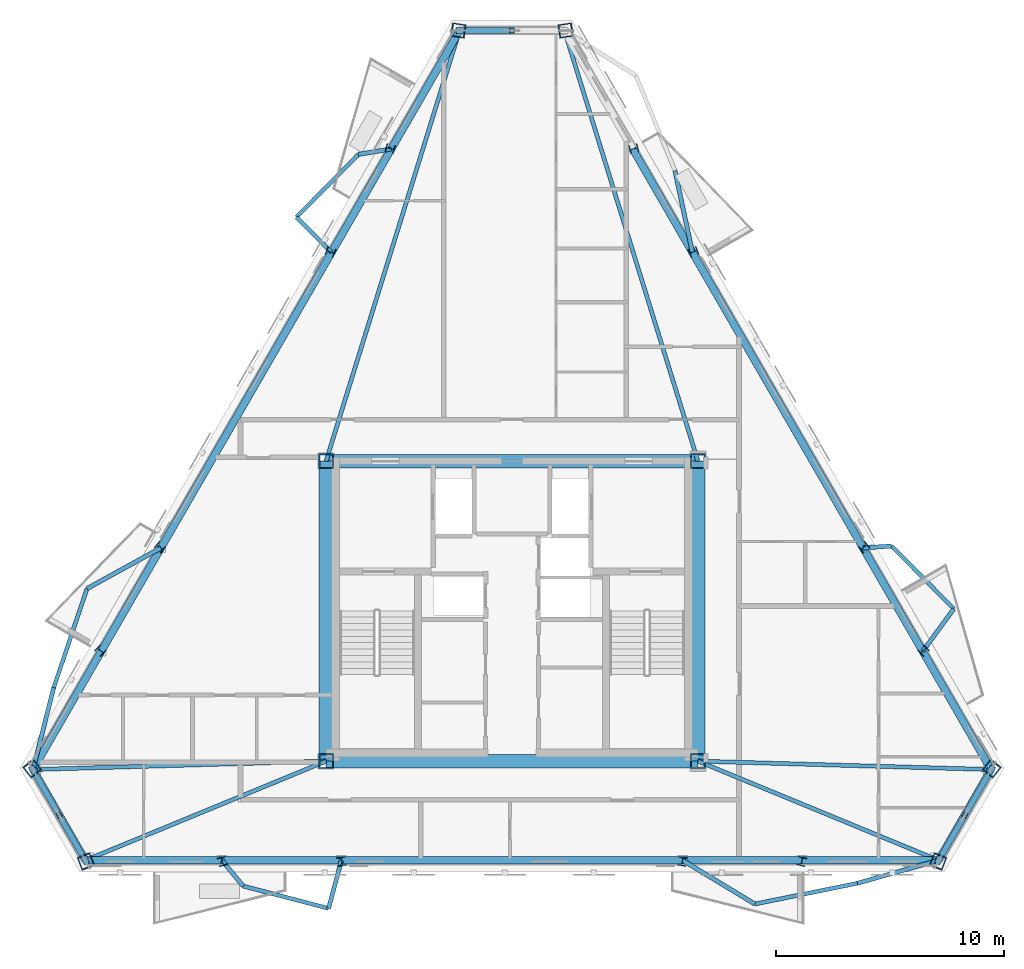
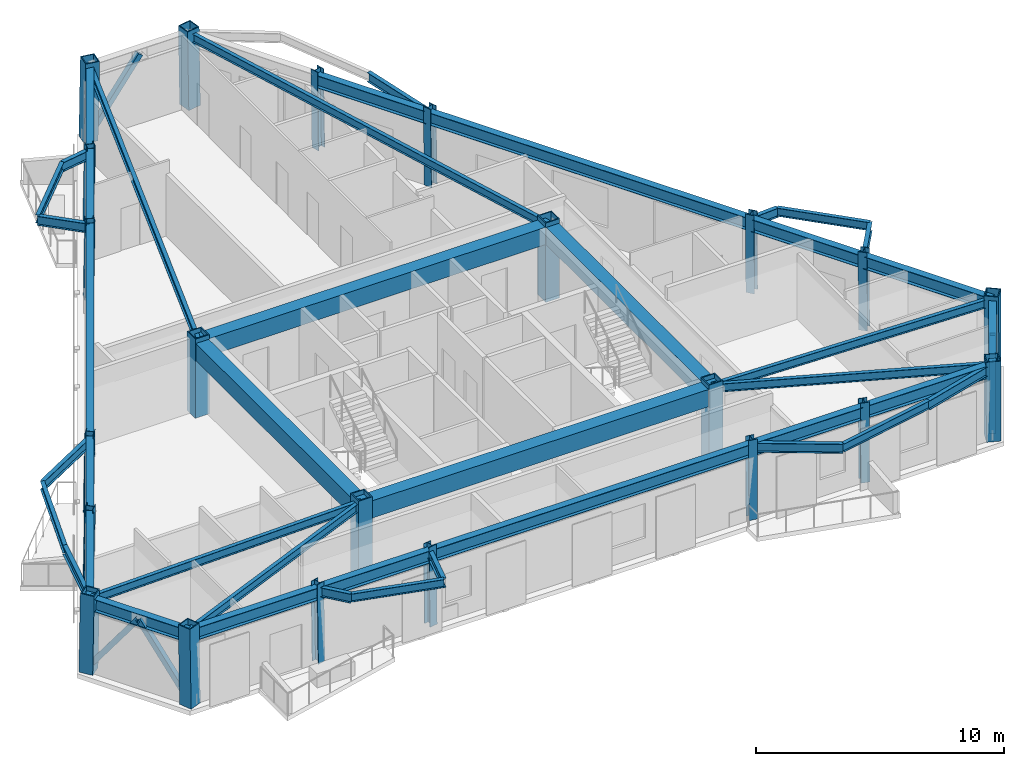
# One storey, part 1 of 9: 42 beams, 22 columns, 5 members.
"""IFC4 building model written with IfcOpenShell, lengths in metres."""

from ifc_helpers import new_model, si_unit, direction, frame, origin, origin_2d, place, context, subcontext, project, spatial, rectangle, hollow_rectangle, i_section, extrude, material, material_profile, profile_set, type_object, element, save


model = new_model("IFC4")

# Units and contexts
model_context = context("Model", 3, precision=1e-05, world=origin(), true_north=direction((0.0, 1.0)))
body_context = subcontext(model_context, "Body", "Model", "MODEL_VIEW")
ifc_project = project(units=[si_unit("LENGTHUNIT", "METRE"), si_unit("AREAUNIT", "SQUARE_METRE"), si_unit("VOLUMEUNIT", "CUBIC_METRE"), si_unit("PLANEANGLEUNIT", "RADIAN"), si_unit("MASSUNIT", "GRAM", prefix="KILO")], contexts=[model_context])

# Site, building, storey
site_placement = place(None, origin())
site = spatial("IfcSite", under=ifc_project, at=site_placement, CompositionType="ELEMENT")
building_placement = place(site_placement, origin())
building = spatial("IfcBuilding", under=site, at=building_placement, Name="Oramaril Tower", CompositionType="ELEMENT")
storey_placement = place(building_placement, frame((0.0, 0.0, 273.300048828125)))
storey = spatial("IfcBuildingStorey", under=building, at=storey_placement, Name="L72", CompositionType="ELEMENT", Elevation=273.300048828125)

# Columns
ifc_material_1 = material(Name="Steel ASTM A572 Gr 50", Category="steel")
ifc_material_profile_1 = material_profile(ifc_material_1, hollow_rectangle(XDim=0.64990234375, YDim=0.64990234375, WallThickness=0.050048828125, at=origin_2d()), Name="BOX650X650X50")
ifc_profile_set_1 = profile_set([ifc_material_profile_1], Name="Steel ASTM A572 Gr 50")
column_type_1 = type_object("IfcColumnType", Name="CT-CC5", PredefinedType="COLUMN", material=ifc_profile_set_1)
for number, where, z_axis, x_axis, name in (
    (1, (29.35009765625, 11.0, 0.0), (0.0, 0.0, 1.0), (1.0, 0.0, 0.0), "L72 Core Column CC-1"),
    (2, (45.64990234375, 11.0, 0.0), (0.0, 0.0, 1.0), (1.0, 0.0, 0.0), "L72 Core Column CC-2"),
    (3, (45.64990234375, 24.14990234375, 0.0), (0.0, 0.0, 1.0), (1.0, 0.0, 0.0), "L72 Core Column CC-3"),
    (4, (29.35009765625, 24.14990234375, 0.0), (0.0, 0.0, 1.0), (1.0, 0.0, 0.0), "L72 Core Column CC-4"),
):
    element("IfcColumn", number, at=place(storey_placement, frame(where, z_axis=z_axis, x_axis=x_axis)), inside=storey, type_object=column_type_1, Name=name, PredefinedType="COLUMN", context=body_context, shape_type="SweptSolid", body=[
        extrude(hollow_rectangle(XDim=0.64990234375, YDim=0.64990234375, WallThickness=0.050048828125, at=origin_2d()), origin(), (0.0, 0.0, 1.0), 3.89990234375),
    ])
ifc_material_2 = material(Name="Steel ASTM A572 Gr 50", Category="steel")
ifc_material_profile_2 = material_profile(ifc_material_2, hollow_rectangle(XDim=0.60009765625, YDim=0.60009765625, WallThickness=0.044921875, at=origin_2d()), Name="BOX600X600X45")
ifc_profile_set_2 = profile_set([ifc_material_profile_2], Name="Steel ASTM A572 Gr 50")
column_type_2 = type_object("IfcColumnType", Name="CT-TC5", PredefinedType="COLUMN", material=ifc_profile_set_2)
for number, where, z_axis, x_axis, name in (
    (5, (16.468017578125, 10.68310546875, 0.00439453125), (0.010100301261, -0.01279789725, 0.999867090038), (0.784981252562, 0.619519517954, 0.0), "L72 Tube Column TC-01"),
    (6, (18.82861328125, 6.593994140625, 0.00439453125), (-0.005959804482, 0.015181817733, 0.999866987724), (-0.930844968278, -0.365414347051, 0.0), "L72 Tube Column TC-02"),
    (7, (56.17138671875, 6.593994140625, 0.00439453125), (0.005959804482, 0.015181817733, 0.999866987724), (-0.930844968278, 0.365414347051, 0.0), "L72 Tube Column TC-03"),
    (8, (58.531982421875, 10.68310546875, 0.00439453125), (-0.010100301261, -0.01279789725, 0.999867090038), (0.784981252562, -0.619519517954, 0.0), "L72 Tube Column TC-04"),
    (9, (39.860595703125, 43.02294921875, 0.00439453125), (-0.016060121522, -0.002446659138, 0.99986803447), (0.150606094644, -0.988593852022, 0.0), "L72 Tube Column TC-05"),
    (10, (35.139404296875, 43.02294921875, 0.00439453125), (0.016060121522, -0.002446659138, 0.99986803447), (0.150606094644, 0.988593852022, 0.0), "L72 Tube Column TC-06"),
):
    element("IfcColumn", number, at=place(storey_placement, frame(where, z_axis=z_axis, x_axis=x_axis)), inside=storey, type_object=column_type_2, Name=name, PredefinedType="COLUMN", context=body_context, shape_type="SweptSolid", body=[
        extrude(hollow_rectangle(XDim=0.60009765625, YDim=0.60009765625, WallThickness=0.044921875, at=origin_2d()), origin(), (0.0, 0.0, 1.0), 3.8916015625),
    ])
ifc_material_3 = material(Name="Steel ASTM A572 Gr 50", Category="steel")
ifc_material_profile_3 = material_profile(ifc_material_3, i_section(OverallWidth=0.373046875, OverallDepth=0.373046875, WebThickness=0.016357421875, FlangeThickness=0.026123046875, at=origin_2d()), Name="W14X132")
ifc_profile_set_3 = profile_set([ifc_material_profile_3], Name="Steel ASTM A572 Gr 50")
column_type_3 = type_object("IfcColumnType", Name="CT-TF5", PredefinedType="COLUMN", material=ifc_profile_set_3)
for number, where, z_axis, x_axis, name in (
    (11, (24.803466796875, 6.593994140625, 0.00439453125), (-0.004077799479, 0.015181961136, 0.999876432169), (-0.965769715653, -0.259400956684, 0.0), "L72 Tube Column TC-07"),
    (12, (30.031494140625, 6.593994140625, 0.00439453125), (-0.002383957357, 0.015182044222, 0.999881904167), (-0.987895005451, -0.15512400912, 0.0), "L72 Tube Column TC-08"),
    (13, (44.968505859375, 6.593994140625, 0.00439453125), (0.002383957357, 0.015182044222, 0.999881904167), (-0.987895005451, 0.15512400912, 0.0), "L72 Tube Column TC-09"),
    (14, (50.196533203125, 6.593994140625, 0.00439453125), (0.004077799479, 0.015181961136, 0.999876432169), (-0.965769715653, 0.259400956684, 0.0), "L72 Tube Column TC-10"),
    (15, (55.544677734375, 15.857421875, 0.00439453125), (-0.01110416452, -0.01110416452, 0.999876689928), (0.707106781187, -0.707106781187, 0.0), "L72 Tube Column TC-11"),
    (16, (52.9306640625, 20.385009765625, 0.00439453125), (-0.011919791289, -0.009661304519, 0.999882281957), (0.629668600516, -0.77686385778, 0.0), "L72 Tube Column TC-12"),
    (17, (45.462158203125, 33.32080078125, 0.00439453125), (-0.01430375695, -0.005458012521, 0.99988279945), (0.356506481981, -0.934292849328, 0.0), "L72 Tube Column TC-13"),
    (18, (42.84814453125, 37.848388671875, 0.00439453125), (-0.01518196499, -0.004015065121, 0.999876685992), (0.255672947806, -0.966763333893, 0.0), "L72 Tube Column TC-14"),
    (19, (32.15185546875, 37.848388671875, 0.00439453125), (0.01518196499, -0.004015065121, 0.999876685992), (0.255672947806, 0.966763333893, 0.0), "L72 Tube Column TC-15"),
    (20, (29.537841796875, 33.32080078125, 0.00439453125), (0.01430375695, -0.005458012521, 0.99988279945), (0.356506481981, 0.934292849328, 0.0), "L72 Tube Column TC-16"),
    (21, (22.0693359375, 20.385009765625, 0.00439453125), (0.011919791289, -0.009661304519, 0.999882281957), (0.629668600516, 0.77686385778, 0.0), "L72 Tube Column TC-17"),
    (22, (19.455322265625, 15.857421875, 0.00439453125), (0.01110416452, -0.01110416452, 0.999876689928), (0.707106781187, 0.707106781187, 0.0), "L72 Tube Column TC-18"),
):
    element("IfcColumn", number, at=place(storey_placement, frame(where, z_axis=z_axis, x_axis=x_axis)), inside=storey, type_object=column_type_3, Name=name, PredefinedType="COLUMN", context=body_context, shape_type="SweptSolid", body=[
        extrude(i_section(OverallWidth=0.373046875, OverallDepth=0.373046875, WebThickness=0.016357421875, FlangeThickness=0.026123046875, at=origin_2d()), origin(), (0.0, 0.0, 1.0), 3.8916015625),
    ])

# Beams
ifc_material_4 = material(Name="Steel ASTM A572 Gr 50", Category="steel")
ifc_material_profile_4 = material_profile(ifc_material_4, i_section(OverallWidth=0.19091796875, OverallDepth=0.45703125, WebThickness=0.009033203125, FlangeThickness=0.014404296875, at=origin_2d()), Name="W18X50")
ifc_profile_set_4 = profile_set([ifc_material_profile_4], Name="Steel ASTM A572 Gr 50")
beam_type_1 = type_object("IfcBeamType", Name="BT-BB1", PredefinedType="BEAM", material=ifc_profile_set_4)
beam_1_placement = place(storey_placement, frame((24.78759765625, 6.653076171875, 3.451416015625), z_axis=(0.636233899681, -0.77149622481, 0.0), x_axis=(0.77149622481, 0.636233899681, 0.0)))
element("IfcBeam", 23, at=beam_1_placement, inside=storey, type_object=beam_type_1, Name="L72 Balcony Column-Framed Cantilever 01.1", PredefinedType="BEAM", context=body_context, shape_type="SweptSolid", body=[
    extrude(i_section(OverallWidth=0.19091796875, OverallDepth=0.45703125, WebThickness=0.009033203125, FlangeThickness=0.014404296875, at=origin_2d()), origin(), (0.0, 0.0, 1.0), 1.4619140625),
])
beam_2_placement = place(storey_placement, frame((30.022216796875, 6.653076171875, 3.451416015625), z_axis=(-0.256993788947, -0.966413054777, 0.0), x_axis=(0.966413054777, -0.256993788947, 0.0)))
element("IfcBeam", 24, at=beam_2_placement, inside=storey, type_object=beam_type_1, Name="L72 Balcony Column-Framed Cantilever 01.2", PredefinedType="BEAM", context=body_context, shape_type="SweptSolid", body=[
    extrude(i_section(OverallWidth=0.19091796875, OverallDepth=0.45703125, WebThickness=0.009033203125, FlangeThickness=0.014404296875, at=origin_2d()), origin(), (0.0, 0.0, 1.0), 2.18115234375),
])
beam_3_placement = place(storey_placement, frame((44.977783203125, 6.653076171875, 3.451416015625), z_axis=(0.855676944394, -0.517510354324, 0.0), x_axis=(0.517510354324, 0.855676944394, 0.0)))
element("IfcBeam", 25, at=beam_3_placement, inside=storey, type_object=beam_type_1, Name="L72 Balcony Column-Framed Cantilever 02.1", PredefinedType="BEAM", context=body_context, shape_type="SweptSolid", body=[
    extrude(i_section(OverallWidth=0.19091796875, OverallDepth=0.45703125, WebThickness=0.009033203125, FlangeThickness=0.014404296875, at=origin_2d()), origin(), (0.0, 0.0, 1.0), 3.699951171875),
])
beam_4_placement = place(storey_placement, frame((56.194580078125, 6.653076171875, 3.451416015625), z_axis=(-0.9622402938, -0.272201427234, 0.0), x_axis=(0.272201427234, -0.9622402938, 0.0)))
element("IfcBeam", 26, at=beam_4_placement, inside=storey, type_object=beam_type_1, Name="L72 Balcony Column-Framed Cantilever 02.2", PredefinedType="BEAM", context=body_context, shape_type="SweptSolid", body=[
    extrude(i_section(OverallWidth=0.19091796875, OverallDepth=0.45703125, WebThickness=0.009033203125, FlangeThickness=0.014404296875, at=origin_2d()), origin(), (0.0, 0.0, 1.0), 3.69970703125),
])
beam_5_placement = place(storey_placement, frame((55.50146484375, 15.814208984375, 3.451416015625), z_axis=(0.590531876494, 0.807014313903, 0.0), x_axis=(-0.807014313903, 0.590531876494, 0.0)))
element("IfcBeam", 27, at=beam_5_placement, inside=storey, type_object=beam_type_1, Name="L72 Balcony Column-Framed Cantilever 03.1", PredefinedType="BEAM", context=body_context, shape_type="SweptSolid", body=[
    extrude(i_section(OverallWidth=0.19091796875, OverallDepth=0.45703125, WebThickness=0.009033203125, FlangeThickness=0.014404296875, at=origin_2d()), origin(), (0.0, 0.0, 1.0), 2.303955078125),
])
beam_6_placement = place(storey_placement, frame((52.88427734375, 20.347412109375, 3.451416015625), z_axis=(0.998038222194, 0.062607563754, 0.0), x_axis=(-0.062607563754, 0.998038222194, 0.0)))
element("IfcBeam", 28, at=beam_6_placement, inside=storey, type_object=beam_type_1, Name="L72 Balcony Column-Framed Cantilever 03.2", PredefinedType="BEAM", context=body_context, shape_type="SweptSolid", body=[
    extrude(i_section(OverallWidth=0.19091796875, OverallDepth=0.45703125, WebThickness=0.009033203125, FlangeThickness=0.014404296875, at=origin_2d()), origin(), (0.0, 0.0, 1.0), 1.259521484375),
])
beam_7_placement = place(storey_placement, frame((45.406494140625, 33.299560546875, 3.451416015625), z_axis=(-0.209069368821, 0.977900812466, 0.0), x_axis=(-0.977900812466, -0.209069368821, 0.0)))
element("IfcBeam", 29, at=beam_7_placement, inside=storey, type_object=beam_type_1, Name="L72 Balcony Column-Framed Cantilever 04.1", PredefinedType="BEAM", context=body_context, shape_type="SweptSolid", body=[
    extrude(i_section(OverallWidth=0.19091796875, OverallDepth=0.45703125, WebThickness=0.009033203125, FlangeThickness=0.014404296875, at=origin_2d()), origin(), (0.0, 0.0, 1.0), 3.663330078125),
])
beam_8_placement = place(storey_placement, frame((32.2109375, 37.832763671875, 3.451416015625), z_axis=(-0.986271812429, -0.165129985186, 0.0), x_axis=(0.165129985186, -0.986271812429, 0.0)))
element("IfcBeam", 30, at=beam_8_placement, inside=storey, type_object=beam_type_1, Name="L72 Balcony Column-Framed Cantilever 05.1", PredefinedType="BEAM", context=body_context, shape_type="SweptSolid", body=[
    extrude(i_section(OverallWidth=0.19091796875, OverallDepth=0.45703125, WebThickness=0.009033203125, FlangeThickness=0.014404296875, at=origin_2d()), origin(), (0.0, 0.0, 1.0), 1.462158203125),
])
beam_9_placement = place(storey_placement, frame((29.593505859375, 33.299560546875, 3.451416015625), z_axis=(-0.708560463319, 0.705650104386, 0.0), x_axis=(-0.705650104386, -0.708560463319, 0.0)))
element("IfcBeam", 31, at=beam_9_placement, inside=storey, type_object=beam_type_1, Name="L72 Balcony Column-Framed Cantilever 05.2", PredefinedType="BEAM", context=body_context, shape_type="SweptSolid", body=[
    extrude(i_section(OverallWidth=0.19091796875, OverallDepth=0.45703125, WebThickness=0.009033203125, FlangeThickness=0.014404296875, at=origin_2d()), origin(), (0.0, 0.0, 1.0), 2.18115234375),
])
for number, where, z_axis, x_axis, name in (
    (32, (22.11572265625, 20.347412109375, 3.451416015625), (-0.876015218468, -0.482283461267, 0.0), (0.482283461267, -0.876015218468, 0.0), "L72 Balcony Column-Framed Cantilever 06.1"),
    (33, (16.50732421875, 10.63330078125, 3.451416015625), (0.245391254889, 0.969424123913, 0.0), (-0.969424123913, 0.245391254889, 0.0), "L72 Balcony Column-Framed Cantilever 06.2"),
):
    element("IfcBeam", number, at=place(storey_placement, frame(where, z_axis=z_axis, x_axis=x_axis)), inside=storey, type_object=beam_type_1, Name=name, PredefinedType="BEAM", context=body_context, shape_type="SweptSolid", body=[
        extrude(i_section(OverallWidth=0.19091796875, OverallDepth=0.45703125, WebThickness=0.009033203125, FlangeThickness=0.014404296875, at=origin_2d()), origin(), (0.0, 0.0, 1.0), 3.699951171875),
    ])
ifc_material_5 = material(Name="Concrete C50/60", Category="concrete")
ifc_material_profile_5 = material_profile(ifc_material_5, rectangle(XDim=0.60009765625, YDim=0.85009765625, at=origin_2d()), Name="CB600X850")
ifc_profile_set_5 = profile_set([ifc_material_profile_5], Name="Concrete C50/60")
beam_type_2 = type_object("IfcBeamType", Name="BT-CB2", PredefinedType="BEAM", material=ifc_profile_set_5)
beam_10_placement = place(storey_placement, frame((29.35009765625, 11.0, 3.2548828125), z_axis=(1.0, 0.0, 0.0), x_axis=(0.0, 1.0, 0.0)))
element("IfcBeam", 34, at=beam_10_placement, inside=storey, type_object=beam_type_2, Name="L72 Core Header Beam CB-1", PredefinedType="BEAM", context=body_context, shape_type="SweptSolid", body=[
    extrude(rectangle(XDim=0.60009765625, YDim=0.85009765625, at=origin_2d()), origin(), (0.0, 0.0, 1.0), 16.2998046875),
])
beam_11_placement = place(storey_placement, frame((45.64990234375, 11.0, 3.2548828125), z_axis=(0.0, 1.0, 0.0), x_axis=(-1.0, 0.0, 0.0)))
element("IfcBeam", 35, at=beam_11_placement, inside=storey, type_object=beam_type_2, Name="L72 Core Header Beam CB-2", PredefinedType="BEAM", context=body_context, shape_type="SweptSolid", body=[
    extrude(rectangle(XDim=0.60009765625, YDim=0.85009765625, at=origin_2d()), origin(), (0.0, 0.0, 1.0), 13.14990234375),
])
beam_12_placement = place(storey_placement, frame((45.64990234375, 24.14990234375, 3.2548828125), z_axis=(-1.0, 0.0, 0.0), x_axis=(0.0, -1.0, 0.0)))
element("IfcBeam", 36, at=beam_12_placement, inside=storey, type_object=beam_type_2, Name="L72 Core Header Beam CB-3", PredefinedType="BEAM", context=body_context, shape_type="SweptSolid", body=[
    extrude(rectangle(XDim=0.60009765625, YDim=0.85009765625, at=origin_2d()), origin(), (0.0, 0.0, 1.0), 16.2998046875),
])
beam_13_placement = place(storey_placement, frame((29.35009765625, 24.14990234375, 3.2548828125), z_axis=(0.0, -1.0, 0.0), x_axis=(1.0, 0.0, 0.0)))
element("IfcBeam", 37, at=beam_13_placement, inside=storey, type_object=beam_type_2, Name="L72 Core Header Beam CB-4", PredefinedType="BEAM", context=body_context, shape_type="SweptSolid", body=[
    extrude(rectangle(XDim=0.60009765625, YDim=0.85009765625, at=origin_2d()), origin(), (0.0, 0.0, 1.0), 13.14990234375),
])
ifc_material_6 = material(Name="Steel ASTM A572 Gr 50", Category="steel")
ifc_material_profile_6 = material_profile(ifc_material_6, i_section(OverallWidth=0.177978515625, OverallDepth=0.404052734375, WebThickness=0.007568359375, FlangeThickness=0.010986328125, at=origin_2d()), Name="W16X36")
ifc_profile_set_6 = profile_set([ifc_material_profile_6], Name="Steel ASTM A572 Gr 50")
beam_type_3 = type_object("IfcBeamType", Name="BT-SB1", PredefinedType="BEAM", material=ifc_profile_set_6)
beam_14_placement = place(storey_placement, frame((29.35009765625, 11.0, 3.47802734375), z_axis=(-0.999592613269, -0.028541329654, 0.0), x_axis=(0.028541329654, -0.999592613269, 0.0)))
element("IfcBeam", 38, at=beam_14_placement, inside=storey, type_object=beam_type_3, Name="L72 Radial Primary Beam RB-01", PredefinedType="BEAM", context=body_context, shape_type="SweptSolid", body=[
    extrude(i_section(OverallWidth=0.177978515625, OverallDepth=0.404052734375, WebThickness=0.007568359375, FlangeThickness=0.010986328125, at=origin_2d()), origin(), (0.0, 0.0, 1.0), 12.847900390625),
])
for number, where, z_axis, x_axis, name in (
    (39, (29.35009765625, 11.0, 3.47802734375), (-0.924523751181, -0.381124433094, 0.0), (0.381124433094, -0.924523751181, 0.0), "L72 Radial Primary Beam RB-02"),
    (40, (45.64990234375, 11.0, 3.47802734375), (0.924523751181, -0.381124433094, 0.0), (0.381124433094, 0.924523751181, 0.0), "L72 Radial Primary Beam RB-03"),
):
    element("IfcBeam", number, at=place(storey_placement, frame(where, z_axis=z_axis, x_axis=x_axis)), inside=storey, type_object=beam_type_3, Name=name, PredefinedType="BEAM", context=body_context, shape_type="SweptSolid", body=[
        extrude(i_section(OverallWidth=0.177978515625, OverallDepth=0.404052734375, WebThickness=0.007568359375, FlangeThickness=0.010986328125, at=origin_2d()), origin(), (0.0, 0.0, 1.0), 11.405517578125),
    ])
beam_15_placement = place(storey_placement, frame((45.64990234375, 11.0, 3.47802734375), z_axis=(0.999592613269, -0.028541329654, 0.0), x_axis=(0.028541329654, 0.999592613269, 0.0)))
element("IfcBeam", 41, at=beam_15_placement, inside=storey, type_object=beam_type_3, Name="L72 Radial Primary Beam RB-04", PredefinedType="BEAM", context=body_context, shape_type="SweptSolid", body=[
    extrude(i_section(OverallWidth=0.177978515625, OverallDepth=0.404052734375, WebThickness=0.007568359375, FlangeThickness=0.010986328125, at=origin_2d()), origin(), (0.0, 0.0, 1.0), 12.847900390625),
])
for number, where, z_axis, x_axis, name in (
    (42, (45.64990234375, 24.14990234375, 3.47802734375), (-0.296288792133, 0.955098398939, 0.0), (-0.955098398939, -0.296288792133, 0.0), "L72 Radial Primary Beam RB-05"),
    (43, (29.35009765625, 24.14990234375, 3.47802734375), (0.296288792133, 0.955098398939, 0.0), (-0.955098398939, 0.296288792133, 0.0), "L72 Radial Primary Beam RB-06"),
):
    element("IfcBeam", number, at=place(storey_placement, frame(where, z_axis=z_axis, x_axis=x_axis)), inside=storey, type_object=beam_type_3, Name=name, PredefinedType="BEAM", context=body_context, shape_type="SweptSolid", body=[
        extrude(i_section(OverallWidth=0.177978515625, OverallDepth=0.404052734375, WebThickness=0.007568359375, FlangeThickness=0.010986328125, at=origin_2d()), origin(), (0.0, 0.0, 1.0), 19.750244140625),
    ])
beam_16_placement = place(storey_placement, frame((25.7177734375, 5.525146484375, 3.47802734375), z_axis=(0.967407922874, -0.253223045479, 0.0), x_axis=(0.253223045479, 0.967407922874, 0.0)))
element("IfcBeam", 44, at=beam_16_placement, inside=storey, type_object=beam_type_3, Name="L72 Balcony Edge Tie Beam 01", PredefinedType="BEAM", context=body_context, shape_type="SweptSolid", body=[
    extrude(i_section(OverallWidth=0.177978515625, OverallDepth=0.404052734375, WebThickness=0.007568359375, FlangeThickness=0.010986328125, at=origin_2d()), origin(), (0.0, 0.0, 1.0), 3.8701171875),
])
beam_17_placement = place(storey_placement, frame((48.143798828125, 4.73828125, 3.47802734375), z_axis=(0.980176910132, 0.198124266167, 0.0), x_axis=(-0.198124266167, 0.980176910132, 0.0)))
element("IfcBeam", 45, at=beam_17_placement, inside=storey, type_object=beam_type_3, Name="L72 Balcony Edge Tie Beam 02", PredefinedType="BEAM", context=body_context, shape_type="SweptSolid", body=[
    extrude(i_section(OverallWidth=0.177978515625, OverallDepth=0.404052734375, WebThickness=0.007568359375, FlangeThickness=0.010986328125, at=origin_2d()), origin(), (0.0, 0.0, 1.0), 4.58154296875),
])
for number, where, z_axis, x_axis, name in (
    (46, (56.862060546875, 17.673583984375, 3.47802734375), (-0.702962973102, 0.711226446673, 0.0), (-0.711226446673, -0.702962973102, 0.0), "L72 Balcony Edge Tie Beam 03"),
    (47, (30.768798828125, 37.59130859375, 3.47802734375), (-0.702962973102, -0.711226446673, 0.0), (0.711226446673, -0.702962973102, 0.0), "L72 Balcony Edge Tie Beam 05"),
):
    element("IfcBeam", number, at=place(storey_placement, frame(where, z_axis=z_axis, x_axis=x_axis)), inside=storey, type_object=beam_type_3, Name=name, PredefinedType="BEAM", context=body_context, shape_type="SweptSolid", body=[
        extrude(i_section(OverallWidth=0.177978515625, OverallDepth=0.404052734375, WebThickness=0.007568359375, FlangeThickness=0.010986328125, at=origin_2d()), origin(), (0.0, 0.0, 1.0), 3.870361328125),
    ])
beam_18_placement = place(storey_placement, frame((18.87451171875, 18.56298828125, 3.47802734375), z_axis=(-0.318512979135, -0.947918499726, 0.0), x_axis=(0.947918499726, -0.318512979135, 0.0)))
element("IfcBeam", 48, at=beam_18_placement, inside=storey, type_object=beam_type_3, Name="L72 Balcony Edge Tie Beam 06", PredefinedType="BEAM", context=body_context, shape_type="SweptSolid", body=[
    extrude(i_section(OverallWidth=0.177978515625, OverallDepth=0.404052734375, WebThickness=0.007568359375, FlangeThickness=0.010986328125, at=origin_2d()), origin(), (0.0, 0.0, 1.0), 4.581298828125),
])
ifc_material_7 = material(Name="Steel ASTM A572 Gr 50", Category="steel")
ifc_material_profile_7 = material_profile(ifc_material_7, i_section(OverallWidth=0.324951171875, OverallDepth=0.612060546875, WebThickness=0.0126953125, FlangeThickness=0.01904296875, at=origin_2d()), Name="W24X104")
ifc_profile_set_7 = profile_set([ifc_material_profile_7], Name="Steel ASTM A572 Gr 50")
beam_type_4 = type_object("IfcBeamType", Name="BT-SP5", PredefinedType="SPANDREL", material=ifc_profile_set_7)
beam_19_placement = place(storey_placement, frame((16.50732421875, 10.63330078125, 3.3740234375), z_axis=(0.500018268964, -0.866014855936, 0.0), x_axis=(0.866014855936, 0.500018268964, 0.0)))
element("IfcBeam", 49, at=beam_19_placement, inside=storey, type_object=beam_type_4, Name="L72 Perimeter Spandrel 01", PredefinedType="SPANDREL", context=body_context, shape_type="SweptSolid", body=[
    extrude(i_section(OverallWidth=0.324951171875, OverallDepth=0.612060546875, WebThickness=0.0126953125, FlangeThickness=0.01904296875, at=origin_2d()), origin(), (0.0, 0.0, 1.0), 4.595947265625),
])
beam_20_placement = place(storey_placement, frame((18.805419921875, 6.653076171875, 3.3740234375), z_axis=(1.0, 0.0, 0.0), x_axis=(0.0, 1.0, 0.0)))
element("IfcBeam", 50, at=beam_20_placement, inside=storey, type_object=beam_type_4, Name="L72 Perimeter Spandrel 02", PredefinedType="SPANDREL", context=body_context, shape_type="SweptSolid", body=[
    extrude(i_section(OverallWidth=0.324951171875, OverallDepth=0.612060546875, WebThickness=0.0126953125, FlangeThickness=0.01904296875, at=origin_2d()), origin(), (0.0, 0.0, 1.0), 5.982177734375),
])
beam_21_placement = place(storey_placement, frame((24.78759765625, 6.653076171875, 3.3740234375), z_axis=(1.0, 0.0, 0.0), x_axis=(0.0, 1.0, 0.0)))
element("IfcBeam", 51, at=beam_21_placement, inside=storey, type_object=beam_type_4, Name="L72 Perimeter Spandrel 03", PredefinedType="SPANDREL", context=body_context, shape_type="SweptSolid", body=[
    extrude(i_section(OverallWidth=0.324951171875, OverallDepth=0.612060546875, WebThickness=0.0126953125, FlangeThickness=0.01904296875, at=origin_2d()), origin(), (0.0, 0.0, 1.0), 5.234619140625),
])
beam_22_placement = place(storey_placement, frame((30.022216796875, 6.653076171875, 3.3740234375), z_axis=(1.0, 0.0, 0.0), x_axis=(0.0, 1.0, 0.0)))
element("IfcBeam", 52, at=beam_22_placement, inside=storey, type_object=beam_type_4, Name="L72 Perimeter Spandrel 04", PredefinedType="SPANDREL", context=body_context, shape_type="SweptSolid", body=[
    extrude(i_section(OverallWidth=0.324951171875, OverallDepth=0.612060546875, WebThickness=0.0126953125, FlangeThickness=0.01904296875, at=origin_2d()), origin(), (0.0, 0.0, 1.0), 14.95556640625),
])
beam_23_placement = place(storey_placement, frame((44.977783203125, 6.653076171875, 3.3740234375), z_axis=(1.0, 0.0, 0.0), x_axis=(0.0, 1.0, 0.0)))
element("IfcBeam", 53, at=beam_23_placement, inside=storey, type_object=beam_type_4, Name="L72 Perimeter Spandrel 05", PredefinedType="SPANDREL", context=body_context, shape_type="SweptSolid", body=[
    extrude(i_section(OverallWidth=0.324951171875, OverallDepth=0.612060546875, WebThickness=0.0126953125, FlangeThickness=0.01904296875, at=origin_2d()), origin(), (0.0, 0.0, 1.0), 5.234619140625),
])
beam_24_placement = place(storey_placement, frame((50.21240234375, 6.653076171875, 3.3740234375), z_axis=(1.0, 0.0, 0.0), x_axis=(0.0, 1.0, 0.0)))
element("IfcBeam", 54, at=beam_24_placement, inside=storey, type_object=beam_type_4, Name="L72 Perimeter Spandrel 06", PredefinedType="SPANDREL", context=body_context, shape_type="SweptSolid", body=[
    extrude(i_section(OverallWidth=0.324951171875, OverallDepth=0.612060546875, WebThickness=0.0126953125, FlangeThickness=0.01904296875, at=origin_2d()), origin(), (0.0, 0.0, 1.0), 5.982177734375),
])
beam_25_placement = place(storey_placement, frame((56.194580078125, 6.653076171875, 3.3740234375), z_axis=(0.500018268964, 0.866014855936, 0.0), x_axis=(-0.866014855936, 0.500018268964, 0.0)))
element("IfcBeam", 55, at=beam_25_placement, inside=storey, type_object=beam_type_4, Name="L72 Perimeter Spandrel 07", PredefinedType="SPANDREL", context=body_context, shape_type="SweptSolid", body=[
    extrude(i_section(OverallWidth=0.324951171875, OverallDepth=0.612060546875, WebThickness=0.0126953125, FlangeThickness=0.01904296875, at=origin_2d()), origin(), (0.0, 0.0, 1.0), 4.595947265625),
])
beam_26_placement = place(storey_placement, frame((58.49267578125, 10.63330078125, 3.3740234375), z_axis=(-0.500001528454, 0.866024521329, 0.0), x_axis=(-0.866024521329, -0.500001528454, 0.0)))
element("IfcBeam", 56, at=beam_26_placement, inside=storey, type_object=beam_type_4, Name="L72 Perimeter Spandrel 08", PredefinedType="SPANDREL", context=body_context, shape_type="SweptSolid", body=[
    extrude(i_section(OverallWidth=0.324951171875, OverallDepth=0.612060546875, WebThickness=0.0126953125, FlangeThickness=0.01904296875, at=origin_2d()), origin(), (0.0, 0.0, 1.0), 5.982421875),
])
beam_27_placement = place(storey_placement, frame((55.50146484375, 15.814208984375, 3.3740234375), z_axis=(-0.49999161165, 0.866030246746, 0.0), x_axis=(-0.866030246746, -0.49999161165, 0.0)))
element("IfcBeam", 57, at=beam_27_placement, inside=storey, type_object=beam_type_4, Name="L72 Perimeter Spandrel 09", PredefinedType="SPANDREL", context=body_context, shape_type="SweptSolid", body=[
    extrude(i_section(OverallWidth=0.324951171875, OverallDepth=0.612060546875, WebThickness=0.0126953125, FlangeThickness=0.01904296875, at=origin_2d()), origin(), (0.0, 0.0, 1.0), 5.234375),
])
beam_28_placement = place(storey_placement, frame((52.88427734375, 20.347412109375, 3.3740234375), z_axis=(-0.499992819623, 0.866029549337, 0.0), x_axis=(-0.866029549337, -0.499992819623, 0.0)))
element("IfcBeam", 58, at=beam_28_placement, inside=storey, type_object=beam_type_4, Name="L72 Perimeter Spandrel 10", PredefinedType="SPANDREL", context=body_context, shape_type="SweptSolid", body=[
    extrude(i_section(OverallWidth=0.324951171875, OverallDepth=0.612060546875, WebThickness=0.0126953125, FlangeThickness=0.01904296875, at=origin_2d()), origin(), (0.0, 0.0, 1.0), 14.955810546875),
])
beam_29_placement = place(storey_placement, frame((45.406494140625, 33.299560546875, 3.3740234375), z_axis=(-0.500026591574, 0.866010050588, 0.0), x_axis=(-0.866010050588, -0.500026591574, 0.0)))
element("IfcBeam", 59, at=beam_29_placement, inside=storey, type_object=beam_type_4, Name="L72 Perimeter Spandrel 11", PredefinedType="SPANDREL", context=body_context, shape_type="SweptSolid", body=[
    extrude(i_section(OverallWidth=0.324951171875, OverallDepth=0.612060546875, WebThickness=0.0126953125, FlangeThickness=0.01904296875, at=origin_2d()), origin(), (0.0, 0.0, 1.0), 5.234619140625),
])
beam_30_placement = place(storey_placement, frame((35.201904296875, 43.013427734375, 3.3740234375), z_axis=(-0.499988591591, -0.866031990332, 0.0), x_axis=(0.866031990332, -0.499988591591, 0.0)))
element("IfcBeam", 60, at=beam_30_placement, inside=storey, type_object=beam_type_4, Name="L72 Perimeter Spandrel 14", PredefinedType="SPANDREL", context=body_context, shape_type="SweptSolid", body=[
    extrude(i_section(OverallWidth=0.324951171875, OverallDepth=0.612060546875, WebThickness=0.0126953125, FlangeThickness=0.01904296875, at=origin_2d()), origin(), (0.0, 0.0, 1.0), 5.982177734375),
])
beam_31_placement = place(storey_placement, frame((32.2109375, 37.832763671875, 3.3740234375), z_axis=(-0.500026591574, -0.866010050588, 0.0), x_axis=(0.866010050588, -0.500026591574, 0.0)))
element("IfcBeam", 61, at=beam_31_placement, inside=storey, type_object=beam_type_4, Name="L72 Perimeter Spandrel 15", PredefinedType="SPANDREL", context=body_context, shape_type="SweptSolid", body=[
    extrude(i_section(OverallWidth=0.324951171875, OverallDepth=0.612060546875, WebThickness=0.0126953125, FlangeThickness=0.01904296875, at=origin_2d()), origin(), (0.0, 0.0, 1.0), 5.234619140625),
])
beam_32_placement = place(storey_placement, frame((29.593505859375, 33.299560546875, 3.3740234375), z_axis=(-0.499992819623, -0.866029549337, 0.0), x_axis=(0.866029549337, -0.499992819623, 0.0)))
element("IfcBeam", 62, at=beam_32_placement, inside=storey, type_object=beam_type_4, Name="L72 Perimeter Spandrel 16", PredefinedType="SPANDREL", context=body_context, shape_type="SweptSolid", body=[
    extrude(i_section(OverallWidth=0.324951171875, OverallDepth=0.612060546875, WebThickness=0.0126953125, FlangeThickness=0.01904296875, at=origin_2d()), origin(), (0.0, 0.0, 1.0), 14.955810546875),
])
beam_33_placement = place(storey_placement, frame((22.11572265625, 20.347412109375, 3.3740234375), z_axis=(-0.49999161165, -0.866030246746, 0.0), x_axis=(0.866030246746, -0.49999161165, 0.0)))
element("IfcBeam", 63, at=beam_33_placement, inside=storey, type_object=beam_type_4, Name="L72 Perimeter Spandrel 17", PredefinedType="SPANDREL", context=body_context, shape_type="SweptSolid", body=[
    extrude(i_section(OverallWidth=0.324951171875, OverallDepth=0.612060546875, WebThickness=0.0126953125, FlangeThickness=0.01904296875, at=origin_2d()), origin(), (0.0, 0.0, 1.0), 5.234375),
])
beam_34_placement = place(storey_placement, frame((19.49853515625, 15.814208984375, 3.3740234375), z_axis=(-0.500001528454, -0.866024521329, 0.0), x_axis=(0.866024521329, -0.500001528454, 0.0)))
element("IfcBeam", 64, at=beam_34_placement, inside=storey, type_object=beam_type_4, Name="L72 Perimeter Spandrel 18", PredefinedType="SPANDREL", context=body_context, shape_type="SweptSolid", body=[
    extrude(i_section(OverallWidth=0.324951171875, OverallDepth=0.612060546875, WebThickness=0.0126953125, FlangeThickness=0.01904296875, at=origin_2d()), origin(), (0.0, 0.0, 1.0), 5.982421875),
])

# Members
ifc_material_8 = material(Name="Steel ASTM A572 Gr 50", Category="steel")
ifc_material_profile_8 = material_profile(ifc_material_8, hollow_rectangle(XDim=0.25, YDim=0.25, WallThickness=0.011962890625, at=origin_2d()), Name="HSS250X250X12")
ifc_profile_set_8 = profile_set([ifc_material_profile_8], Name="Steel ASTM A572 Gr 50")
member_type = type_object("IfcMemberType", Name="MT-KB3", PredefinedType="BRACE", material=ifc_profile_set_8)
member_placement = place(storey_placement, frame((16.468017578125, 10.68310546875, 0.179931640625), z_axis=(0.297143004652, -0.514744625767, 0.804203957358), x_axis=(0.866058145322, 0.499943285704, 0.0)))
element("IfcMember", 65, at=member_placement, inside=storey, type_object=member_type, Name="L72 Perimeter Chevron Brace KB-1A", PredefinedType="BRACE", context=body_context, shape_type="SweptSolid", body=[
    extrude(hollow_rectangle(XDim=0.25, YDim=0.25, WallThickness=0.011962890625, at=origin_2d()), origin(), (0.0, 0.0, 1.0), 3.9716796875),
])
for number, where, z_axis, x_axis, name in (
    (66, (18.82861328125, 6.593994140625, 0.179931640625), (-0.297189641669, 0.514780403097, 0.804163822534), (-0.866039217307, -0.499976073514, 0.0), "L72 Perimeter Chevron Brace KB-1B"),
    (67, (56.17138671875, 6.593994140625, 0.179931640625), (0.297189641669, 0.514780403097, 0.804163822534), (-0.866039217307, 0.499976073514, 0.0), "L72 Perimeter Chevron Brace KB-2A"),
):
    element("IfcMember", number, at=place(storey_placement, frame(where, z_axis=z_axis, x_axis=x_axis)), inside=storey, type_object=member_type, Name=name, PredefinedType="BRACE", context=body_context, shape_type="SweptSolid", body=[
        extrude(hollow_rectangle(XDim=0.25, YDim=0.25, WallThickness=0.011962890625, at=origin_2d()), origin(), (0.0, 0.0, 1.0), 3.971923828125),
    ])
for number, where, z_axis, x_axis, name in (
    (68, (58.531982421875, 10.68310546875, 0.179931640625), (-0.297143004652, -0.514744625767, 0.804203957358), (0.866058145322, -0.499943285704, 0.0), "L72 Perimeter Chevron Brace KB-2B"),
    (69, (35.139404296875, 43.02294921875, 0.179931640625), (0.594349579584, 0.0, 0.804206800051), (0.0, 1.0, 0.0), "L72 Perimeter Chevron Brace KB-3B"),
):
    element("IfcMember", number, at=place(storey_placement, frame(where, z_axis=z_axis, x_axis=x_axis)), inside=storey, type_object=member_type, Name=name, PredefinedType="BRACE", context=body_context, shape_type="SweptSolid", body=[
        extrude(hollow_rectangle(XDim=0.25, YDim=0.25, WallThickness=0.011962890625, at=origin_2d()), origin(), (0.0, 0.0, 1.0), 3.9716796875),
    ])

save(model, "model.ifc")
